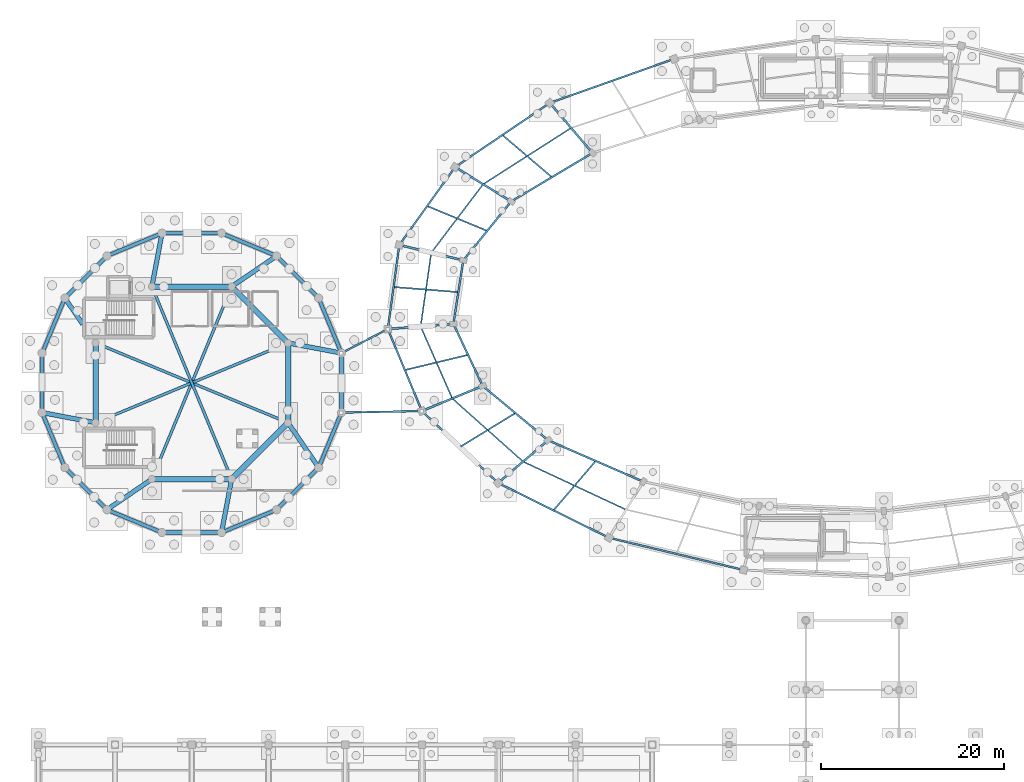
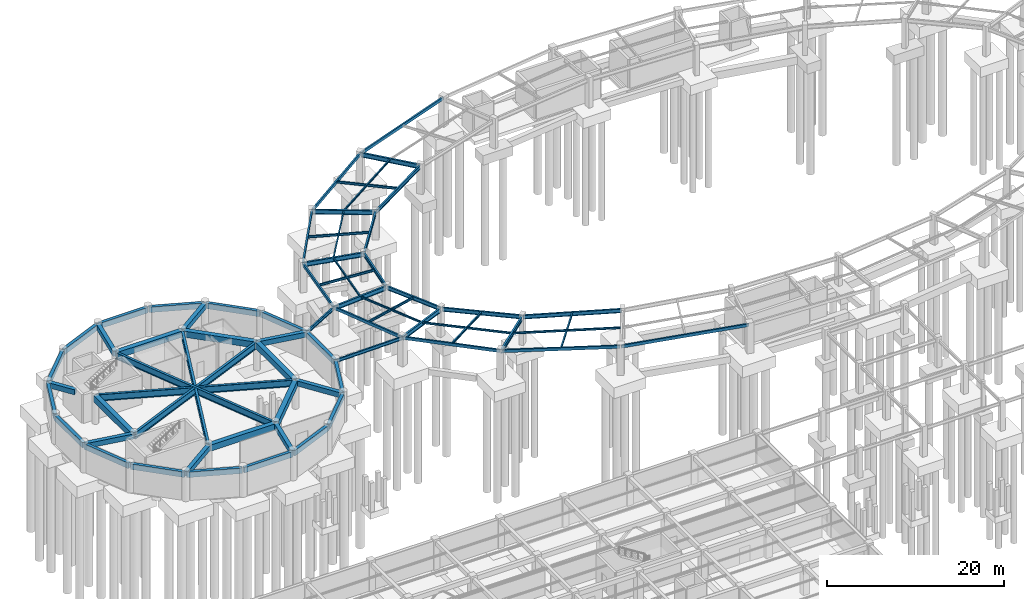
# One storey, part 17 of 38: 68 beams.
"""IFC4 building model written with IfcOpenShell, lengths in metres."""

from ifc_helpers import new_model, si_unit, direction, frame, origin, origin_2d, place, context, subcontext, project, spatial, rectangle, hollow_rectangle, i_section, extrude, material, material_profile, profile_set, type_object, element, save


model = new_model("IFC4")

# Units and contexts
model_context = context("Model", 3, precision=1e-05, world=origin(), true_north=direction((0.0, 1.0)))
body_context = subcontext(model_context, "Body", "Model", "MODEL_VIEW")
ifc_project = project(units=[si_unit("LENGTHUNIT", "METRE"), si_unit("AREAUNIT", "SQUARE_METRE"), si_unit("VOLUMEUNIT", "CUBIC_METRE"), si_unit("PLANEANGLEUNIT", "RADIAN"), si_unit("MASSUNIT", "GRAM", prefix="KILO"), si_unit("THERMODYNAMICTEMPERATUREUNIT", "KELVIN"), si_unit("POWERUNIT", "WATT")], contexts=[model_context])

# Site, building, storey
site_placement = place(None, origin())
site = spatial("IfcSite", under=ifc_project, at=site_placement, CompositionType="ELEMENT")
building_placement = place(site_placement, origin())
building = spatial("IfcBuilding", under=site, at=building_placement, Name="Darbajah Civic Hall", CompositionType="ELEMENT")
storey_placement = place(building_placement, frame((0.0, 0.0, -4.199951171875)))
storey = spatial("IfcBuildingStorey", under=building, at=storey_placement, Name="B01", CompositionType="ELEMENT", Elevation=-4.199951171875)

# Beams
ifc_material_1 = material(Name="Concrete C45/55", Category="concrete")
ifc_material_profile_1 = material_profile(ifc_material_1, rectangle(XDim=0.5, YDim=0.699951171875, at=origin_2d()), Name="RC BEAM 500x700")
ifc_profile_set_1 = profile_set([ifc_material_profile_1], Name="Concrete C45/55")
beam_type_1 = type_object("IfcBeamType", Name="RC BEAM 500x700", PredefinedType="BEAM", material=ifc_profile_set_1)
for number, where, z_axis, x_axis, name in (
    (1, (27.410888671875, 85.94775390625, 3.530029296875), (0.982632316348, -0.185563279957, 0.0), (0.185563279957, 0.982632316348, 0.0), "B01 beam BM-5070"),
    (2, (21.228759765625, 92.17724609375, 3.530029296875), (0.826037882137, 0.563614599949, 0.0), (-0.563614599949, 0.826037882137, 0.0), "B01 beam BM-5070"),
):
    element("IfcBeam", number, at=place(storey_placement, frame(where, z_axis=z_axis, x_axis=x_axis)), inside=storey, type_object=beam_type_1, Name=name, PredefinedType="BEAM", context=body_context, shape_type="SweptSolid", body=[
        extrude(rectangle(XDim=0.5, YDim=0.699951171875, at=origin_2d()), origin(), (0.0, 0.0, 1.0), 5.781005859375),
    ])
beam_1_placement = place(storey_placement, frame((12.4521484375, 92.210693359375, 3.530029296875), z_axis=(0.185596354676, 0.982626069841, 0.0), x_axis=(-0.982626069841, 0.185596354676, 0.0)))
element("IfcBeam", 3, at=beam_1_placement, inside=storey, type_object=beam_type_1, Name="B01 beam BM-5070", PredefinedType="BEAM", context=body_context, shape_type="SweptSolid", body=[
    extrude(rectangle(XDim=0.5, YDim=0.699951171875, at=origin_2d()), origin(), (0.0, 0.0, 1.0), 5.78125),
])
beam_2_placement = place(storey_placement, frame((4.860107421875, 88.02587890625, 3.530029296875), z_axis=(-0.563629589976, 0.826027654079, 0.0), x_axis=(-0.826027654079, -0.563629589976, 0.0)))
element("IfcBeam", 4, at=beam_2_placement, inside=storey, type_object=beam_type_1, Name="B01 beam BM-5070", PredefinedType="BEAM", context=body_context, shape_type="SweptSolid", body=[
    extrude(rectangle(XDim=0.5, YDim=0.699951171875, at=origin_2d()), origin(), (0.0, 0.0, 1.0), 3.363525390625),
])
for number, where, z_axis, x_axis, name in (
    (5, (6.189208984375, 77.252197265625, 3.530029296875), (-0.982626069841, 0.185596354676, 0.0), (-0.185596354676, -0.982626069841, 0.0), "B01 beam BM-5070"),
    (6, (12.371337890625, 71.022705078125, 3.530029296875), (-0.826051296586, -0.563594939126, 0.0), (0.563594939126, -0.826051296586, 0.0), "B01 beam BM-5070"),
    (7, (21.147705078125, 70.9892578125, 3.530029296875), (-0.185555579839, -0.982633770431, 0.0), (0.982633770431, -0.185555579839, 0.0), "B01 beam BM-5070"),
    (8, (27.377197265625, 77.17138671875, 3.530029296875), (0.563594939126, -0.826051296586, 0.0), (0.826051296586, 0.563594939126, 0.0), "B01 beam BM-5070"),
):
    element("IfcBeam", number, at=place(storey_placement, frame(where, z_axis=z_axis, x_axis=x_axis)), inside=storey, type_object=beam_type_1, Name=name, PredefinedType="BEAM", context=body_context, shape_type="SweptSolid", body=[
        extrude(rectangle(XDim=0.5, YDim=0.699951171875, at=origin_2d()), origin(), (0.0, 0.0, 1.0), 5.78125),
    ])
ifc_material_2 = material(Name="Concrete C50/60", Category="concrete")
ifc_material_profile_2 = material_profile(ifc_material_2, rectangle(XDim=0.60009765625, YDim=0.85009765625, at=origin_2d()), Name="RC GIRDER 600x850")
ifc_profile_set_2 = profile_set([ifc_material_profile_2], Name="Concrete C50/60")
beam_type_2 = type_object("IfcBeamType", Name="RC GIRDER 600x850", PredefinedType="BEAM", material=ifc_profile_set_2)
beam_3_placement = place(storey_placement, frame((27.275634765625, 86.019287109375, 3.454833984375), z_axis=(-0.707106781187, 0.707106781187, 0.0), x_axis=(-0.707106781187, -0.707106781187, 0.0)))
element("IfcBeam", 9, at=beam_3_placement, inside=storey, type_object=beam_type_2, Name="B01 beam BG-6085", PredefinedType="BEAM", context=body_context, shape_type="SweptSolid", body=[
    extrude(rectangle(XDim=0.60009765625, YDim=0.85009765625, at=origin_2d()), origin(), (0.0, 0.0, 1.0), 8.56494140625),
])
for number, where, z_axis, x_axis, name in (
    (10, (21.08251953125, 92.132080078125, 3.454833984375), (-1.0, 0.0, 0.0), (0.0, -1.0, 0.0), "B01 beam BG-6085"),
    (11, (6.267822265625, 85.882568359375, 3.454833984375), (0.0, -1.0, 0.0), (1.0, 0.0, 0.0), "B01 beam BG-6085"),
    (12, (12.517333984375, 71.06787109375, 3.454833984375), (1.0, 0.0, 0.0), (0.0, 1.0, 0.0), "B01 beam BG-6085"),
):
    element("IfcBeam", number, at=place(storey_placement, frame(where, z_axis=z_axis, x_axis=x_axis)), inside=storey, type_object=beam_type_2, Name=name, PredefinedType="BEAM", context=body_context, shape_type="SweptSolid", body=[
        extrude(rectangle(XDim=0.60009765625, YDim=0.85009765625, at=origin_2d()), origin(), (0.0, 0.0, 1.0), 8.565185546875),
    ])
beam_4_placement = place(storey_placement, frame((21.21923828125, 71.12451171875, 3.454833984375), z_axis=(0.707106781187, 0.707106781187, 0.0), x_axis=(-0.707106781187, 0.707106781187, 0.0)))
element("IfcBeam", 13, at=beam_4_placement, inside=storey, type_object=beam_type_2, Name="B01 beam BG-6085", PredefinedType="BEAM", context=body_context, shape_type="SweptSolid", body=[
    extrude(rectangle(XDim=0.60009765625, YDim=0.85009765625, at=origin_2d()), origin(), (0.0, 0.0, 1.0), 8.56494140625),
])
beam_5_placement = place(storey_placement, frame((27.332275390625, 77.3173828125, 3.454833984375), z_axis=(0.0, 1.0, 0.0), x_axis=(-1.0, 0.0, 0.0)))
element("IfcBeam", 14, at=beam_5_placement, inside=storey, type_object=beam_type_2, Name="B01 beam BG-6085", PredefinedType="BEAM", context=body_context, shape_type="SweptSolid", body=[
    extrude(rectangle(XDim=0.60009765625, YDim=0.85009765625, at=origin_2d()), origin(), (0.0, 0.0, 1.0), 8.565185546875),
])
ifc_material_profile_3 = material_profile(ifc_material_1, rectangle(XDim=0.39990234375, YDim=0.75, at=origin_2d()), Name="RC SPANDREL 400x750")
ifc_profile_set_3 = profile_set([ifc_material_profile_3], Name="Concrete C45/55")
beam_type_3 = type_object("IfcBeamType", Name="RC SPANDREL 400x750", PredefinedType="SPANDREL", material=ifc_profile_set_3)
for number, where, z_axis, x_axis, name in (
    (15, (33.1455078125, 84.94140625, 3.5048828125), (-0.382683011449, 0.92387970686, 0.0), (-0.92387970686, -0.382683011449, 0.0), "B01 beam SP-4075"),
    (16, (30.622802734375, 90.942138671875, 3.5048828125), (-0.707126045514, 0.707087516334, 0.0), (-0.707087516334, -0.707126045514, 0.0), "B01 beam SP-4075"),
    (17, (25.995361328125, 95.520751953125, 3.5048828125), (-0.92387970686, 0.382683011449, 0.0), (-0.382683011449, -0.92387970686, 0.0), "B01 beam SP-4075"),
    (18, (19.96826171875, 97.97998046875, 3.5048828125), (-1.0, 0.0, 0.0), (0.0, -1.0, 0.0), "B01 beam SP-4075"),
):
    element("IfcBeam", number, at=place(storey_placement, frame(where, z_axis=z_axis, x_axis=x_axis)), inside=storey, type_object=beam_type_3, Name=name, PredefinedType="SPANDREL", context=body_context, shape_type="SweptSolid", body=[
        extrude(rectangle(XDim=0.39990234375, YDim=0.75, at=origin_2d()), origin(), (0.0, 0.0, 1.0), 6.33642578125),
    ])
beam_6_placement = place(storey_placement, frame((13.458740234375, 97.945556640625, 3.5048828125), z_axis=(-0.923885349179, -0.382669389384, 0.0), x_axis=(0.382669389384, -0.923885349179, 0.0)))
element("IfcBeam", 19, at=beam_6_placement, inside=storey, type_object=beam_type_3, Name="B01 beam SP-4075", PredefinedType="SPANDREL", context=body_context, shape_type="SweptSolid", body=[
    extrude(rectangle(XDim=0.39990234375, YDim=0.75, at=origin_2d()), origin(), (0.0, 0.0, 1.0), 6.336669921875),
])
for number, where, z_axis, x_axis, name in (
    (20, (7.4580078125, 95.422607421875, 3.5048828125), (-0.707126045514, -0.707087516334, 0.0), (0.707087516334, -0.707126045514, 0.0), "B01 beam SP-4075"),
    (21, (2.87939453125, 90.79541015625, 3.5048828125), (-0.382715898409, -0.923866083967, 0.0), (0.923866083967, -0.382715898409, 0.0), "B01 beam SP-4075"),
    (22, (0.419921875, 84.768310546875, 3.5048828125), (0.0, -1.0, 0.0), (1.0, 0.0, 0.0), "B01 beam SP-4075"),
):
    element("IfcBeam", number, at=place(storey_placement, frame(where, z_axis=z_axis, x_axis=x_axis)), inside=storey, type_object=beam_type_3, Name=name, PredefinedType="SPANDREL", context=body_context, shape_type="SweptSolid", body=[
        extrude(rectangle(XDim=0.39990234375, YDim=0.75, at=origin_2d()), origin(), (0.0, 0.0, 1.0), 6.33642578125),
    ])
beam_7_placement = place(storey_placement, frame((0.454345703125, 78.2587890625, 3.5048828125), z_axis=(0.382702275575, -0.923871727173, 0.0), x_axis=(0.923871727173, 0.382702275575, 0.0)))
element("IfcBeam", 23, at=beam_7_placement, inside=storey, type_object=beam_type_3, Name="B01 beam SP-4075", PredefinedType="SPANDREL", context=body_context, shape_type="SweptSolid", body=[
    extrude(rectangle(XDim=0.39990234375, YDim=0.75, at=origin_2d()), origin(), (0.0, 0.0, 1.0), 6.336669921875),
])
beam_8_placement = place(storey_placement, frame((2.977294921875, 72.2578125, 3.5048828125), z_axis=(0.707126045514, -0.707087516334, 0.0), x_axis=(0.707087516334, 0.707126045514, 0.0)))
element("IfcBeam", 24, at=beam_8_placement, inside=storey, type_object=beam_type_3, Name="B01 beam SP-4075", PredefinedType="SPANDREL", context=body_context, shape_type="SweptSolid", body=[
    extrude(rectangle(XDim=0.39990234375, YDim=0.75, at=origin_2d()), origin(), (0.0, 0.0, 1.0), 6.33642578125),
])
beam_9_placement = place(storey_placement, frame((7.6044921875, 67.67919921875, 3.5048828125), z_axis=(0.923885349179, -0.382669389384, 0.0), x_axis=(0.382669389384, 0.923885349179, 0.0)))
element("IfcBeam", 25, at=beam_9_placement, inside=storey, type_object=beam_type_3, Name="B01 beam SP-4075", PredefinedType="SPANDREL", context=body_context, shape_type="SweptSolid", body=[
    extrude(rectangle(XDim=0.39990234375, YDim=0.75, at=origin_2d()), origin(), (0.0, 0.0, 1.0), 6.336669921875),
])
for number, where, z_axis, x_axis, name in (
    (26, (13.6318359375, 65.219970703125, 3.5048828125), (1.0, 0.0, 0.0), (0.0, 1.0, 0.0), "B01 beam SP-4075"),
    (27, (20.141357421875, 65.25439453125, 3.5048828125), (0.92387970686, 0.382683011449, 0.0), (-0.382683011449, 0.92387970686, 0.0), "B01 beam SP-4075"),
    (28, (26.14208984375, 67.77734375, 3.5048828125), (0.707126045514, 0.707087516334, 0.0), (-0.707087516334, 0.707126045514, 0.0), "B01 beam SP-4075"),
):
    element("IfcBeam", number, at=place(storey_placement, frame(where, z_axis=z_axis, x_axis=x_axis)), inside=storey, type_object=beam_type_3, Name=name, PredefinedType="SPANDREL", context=body_context, shape_type="SweptSolid", body=[
        extrude(rectangle(XDim=0.39990234375, YDim=0.75, at=origin_2d()), origin(), (0.0, 0.0, 1.0), 6.33642578125),
    ])
beam_10_placement = place(storey_placement, frame((30.720703125, 72.404541015625, 3.5048828125), z_axis=(0.382669389384, 0.923885349179, 0.0), x_axis=(-0.923885349179, 0.382669389384, 0.0)))
element("IfcBeam", 29, at=beam_10_placement, inside=storey, type_object=beam_type_3, Name="B01 beam SP-4075", PredefinedType="SPANDREL", context=body_context, shape_type="SweptSolid", body=[
    extrude(rectangle(XDim=0.39990234375, YDim=0.75, at=origin_2d()), origin(), (0.0, 0.0, 1.0), 6.336669921875),
])
beam_11_placement = place(storey_placement, frame((33.179931640625, 78.431884765625, 3.5048828125), z_axis=(0.0, 1.0, 0.0), x_axis=(-1.0, 0.0, 0.0)))
element("IfcBeam", 30, at=beam_11_placement, inside=storey, type_object=beam_type_3, Name="B01 beam SP-4075", PredefinedType="SPANDREL", context=body_context, shape_type="SweptSolid", body=[
    extrude(rectangle(XDim=0.39990234375, YDim=0.75, at=origin_2d()), origin(), (0.0, 0.0, 1.0), 6.33642578125),
])
ifc_material_3 = material(Name="Steel S355JR", Category="steel")
ifc_material_profile_4 = material_profile(ifc_material_3, hollow_rectangle(XDim=0.199951171875, YDim=0.39990234375, WallThickness=0.013916015625, at=origin_2d()), Name="RHS 400x200x14")
ifc_profile_set_4 = profile_set([ifc_material_profile_4], Name="Steel S355JR")
beam_type_4 = type_object("IfcBeamType", Name="RHS 400x200x14", PredefinedType="SPANDREL", material=ifc_profile_set_4)
beam_12_placement = place(storey_placement, frame((69.5078125, 117.027587890625, 3.719970703125), z_axis=(-0.942545228917, -0.334078570768, 0.0), x_axis=(0.334078570768, -0.942545228917, 0.0)))
element("IfcBeam", 31, at=beam_12_placement, inside=storey, type_object=beam_type_4, Name="B01 beam SP-RHS400", PredefinedType="SPANDREL", context=body_context, shape_type="SweptSolid", body=[
    extrude(hollow_rectangle(XDim=0.199951171875, YDim=0.39990234375, WallThickness=0.013916015625, at=origin_2d()), origin(), (0.0, 0.0, 1.0), 14.2744140625),
])
beam_13_placement = place(storey_placement, frame((55.911865234375, 112.18701171875, 3.719970703125), z_axis=(-0.827982022698, -0.560754643394, 0.0), x_axis=(0.560754643394, -0.827982022698, 0.0)))
element("IfcBeam", 32, at=beam_13_placement, inside=storey, type_object=beam_type_4, Name="B01 beam SP-RHS400", PredefinedType="SPANDREL", context=body_context, shape_type="SweptSolid", body=[
    extrude(hollow_rectangle(XDim=0.199951171875, YDim=0.39990234375, WallThickness=0.013916015625, at=origin_2d()), origin(), (0.0, 0.0, 1.0), 12.355712890625),
])
beam_14_placement = place(storey_placement, frame((45.56884765625, 105.148681640625, 3.719970703125), z_axis=(-0.58222165068, -0.813030103674, 0.0), x_axis=(0.813030103674, -0.58222165068, 0.0)))
element("IfcBeam", 33, at=beam_14_placement, inside=storey, type_object=beam_type_4, Name="B01 beam SP-RHS400", PredefinedType="SPANDREL", context=body_context, shape_type="SweptSolid", body=[
    extrude(hollow_rectangle(XDim=0.199951171875, YDim=0.39990234375, WallThickness=0.013916015625, at=origin_2d()), origin(), (0.0, 0.0, 1.0), 10.327880859375),
])
beam_15_placement = place(storey_placement, frame((39.498291015625, 96.607421875, 3.719970703125), z_axis=(-0.134804002093, -0.9908722829, 0.0), x_axis=(0.9908722829, -0.134804002093, 0.0)))
element("IfcBeam", 34, at=beam_15_placement, inside=storey, type_object=beam_type_4, Name="B01 beam SP-RHS400", PredefinedType="SPANDREL", context=body_context, shape_type="SweptSolid", body=[
    extrude(hollow_rectangle(XDim=0.199951171875, YDim=0.39990234375, WallThickness=0.013916015625, at=origin_2d()), origin(), (0.0, 0.0, 1.0), 9.1259765625),
])
beam_16_placement = place(storey_placement, frame((38.287841796875, 87.41162109375, 3.719970703125), z_axis=(0.38333984527, -0.923607364104, 0.0), x_axis=(0.923607364104, 0.38333984527, 0.0)))
element("IfcBeam", 35, at=beam_16_placement, inside=storey, type_object=beam_type_4, Name="B01 beam SP-RHS400", PredefinedType="SPANDREL", context=body_context, shape_type="SweptSolid", body=[
    extrude(hollow_rectangle(XDim=0.199951171875, YDim=0.39990234375, WallThickness=0.013916015625, at=origin_2d()), origin(), (0.0, 0.0, 1.0), 9.556884765625),
])
beam_17_placement = place(storey_placement, frame((42.040283203125, 78.455810546875, 3.719970703125), z_axis=(0.727210771045, -0.686414229512, 0.0), x_axis=(0.686414229512, 0.727210771045, 0.0)))
element("IfcBeam", 36, at=beam_17_placement, inside=storey, type_object=beam_type_4, Name="B01 beam SP-RHS400", PredefinedType="SPANDREL", context=body_context, shape_type="SweptSolid", body=[
    extrude(hollow_rectangle(XDim=0.199951171875, YDim=0.39990234375, WallThickness=0.013916015625, at=origin_2d()), origin(), (0.0, 0.0, 1.0), 11.304443359375),
])
beam_18_placement = place(storey_placement, frame((50.39111328125, 70.60595703125, 3.719970703125), z_axis=(0.896556568061, -0.442929249731, 0.0), x_axis=(0.442929249731, 0.896556568061, 0.0)))
element("IfcBeam", 37, at=beam_18_placement, inside=storey, type_object=beam_type_4, Name="B01 beam SP-RHS400", PredefinedType="SPANDREL", context=body_context, shape_type="SweptSolid", body=[
    extrude(hollow_rectangle(XDim=0.199951171875, YDim=0.39990234375, WallThickness=0.013916015625, at=origin_2d()), origin(), (0.0, 0.0, 1.0), 13.373046875),
])
beam_19_placement = place(storey_placement, frame((62.530517578125, 64.62841796875, 3.719970703125), z_axis=(0.972477948632, -0.232994934332, 0.0), x_axis=(0.232994934332, 0.972477948632, 0.0)))
element("IfcBeam", 38, at=beam_19_placement, inside=storey, type_object=beam_type_4, Name="B01 beam SP-RHS400", PredefinedType="SPANDREL", context=body_context, shape_type="SweptSolid", body=[
    extrude(hollow_rectangle(XDim=0.199951171875, YDim=0.39990234375, WallThickness=0.013916015625, at=origin_2d()), origin(), (0.0, 0.0, 1.0), 14.998779296875),
])
ifc_material_profile_5 = material_profile(ifc_material_3, i_section(OverallWidth=0.146484375, OverallDepth=0.256103515625, WebThickness=0.00634765625, FlangeThickness=0.010986328125, FilletRadius=0.007568359375, at=origin_2d()), Name="UB 254x146x37")
ifc_profile_set_5 = profile_set([ifc_material_profile_5], Name="Steel S355JR")
beam_type_5 = type_object("IfcBeamType", Name="UB 254x146x37", PredefinedType="JOIST", material=ifc_profile_set_5)
beam_20_placement = place(storey_placement, frame((58.218505859375, 109.431884765625, 3.7919921875), z_axis=(-0.842364011789, -0.538908964152, 0.0), x_axis=(0.538908964152, -0.842364011789, 0.0)))
element("IfcBeam", 39, at=beam_20_placement, inside=storey, type_object=beam_type_5, Name="B01 beam SJ-254", PredefinedType="JOIST", context=body_context, shape_type="SweptSolid", body=[
    extrude(i_section(OverallWidth=0.146484375, OverallDepth=0.256103515625, WebThickness=0.00634765625, FlangeThickness=0.010986328125, FilletRadius=0.007568359375, at=origin_2d()), origin(), (0.0, 0.0, 1.0), 11.20166015625),
])
beam_21_placement = place(storey_placement, frame((48.61474609375, 103.240234375, 3.7919921875), z_axis=(-0.604114678665, -0.796897393032, 0.0), x_axis=(0.796897393032, -0.604114678665, 0.0)))
element("IfcBeam", 40, at=beam_21_placement, inside=storey, type_object=beam_type_5, Name="B01 beam SJ-254", PredefinedType="JOIST", context=body_context, shape_type="SweptSolid", body=[
    extrude(i_section(OverallWidth=0.146484375, OverallDepth=0.256103515625, WebThickness=0.00634765625, FlangeThickness=0.010986328125, FilletRadius=0.007568359375, at=origin_2d()), origin(), (0.0, 0.0, 1.0), 9.162353515625),
])
beam_22_placement = place(storey_placement, frame((42.9931640625, 95.7314453125, 3.7919921875), z_axis=(-0.142580747671, -0.989783173424, 0.0), x_axis=(0.989783173424, -0.142580747671, 0.0)))
element("IfcBeam", 41, at=beam_22_placement, inside=storey, type_object=beam_type_5, Name="B01 beam SJ-254", PredefinedType="JOIST", context=body_context, shape_type="SweptSolid", body=[
    extrude(i_section(OverallWidth=0.146484375, OverallDepth=0.256103515625, WebThickness=0.00634765625, FlangeThickness=0.010986328125, FilletRadius=0.007568359375, at=origin_2d()), origin(), (0.0, 0.0, 1.0), 7.9296875),
])
beam_23_placement = place(storey_placement, frame((41.892822265625, 87.66162109375, 3.7919921875), z_axis=(0.402255928137, -0.915527262444, 0.0), x_axis=(0.915527262444, 0.402255928137, 0.0)))
element("IfcBeam", 42, at=beam_23_placement, inside=storey, type_object=beam_type_5, Name="B01 beam SJ-254", PredefinedType="JOIST", context=body_context, shape_type="SweptSolid", body=[
    extrude(i_section(OverallWidth=0.146484375, OverallDepth=0.256103515625, WebThickness=0.00634765625, FlangeThickness=0.010986328125, FilletRadius=0.007568359375, at=origin_2d()), origin(), (0.0, 0.0, 1.0), 8.37451171875),
])
beam_24_placement = place(storey_placement, frame((45.394775390625, 79.811279296875, 3.7919921875), z_axis=(0.74637325764, -0.665527580405, 0.0), x_axis=(0.665527580405, 0.74637325764, 0.0)))
element("IfcBeam", 43, at=beam_24_placement, inside=storey, type_object=beam_type_5, Name="B01 beam SJ-254", PredefinedType="JOIST", context=body_context, shape_type="SweptSolid", body=[
    extrude(i_section(OverallWidth=0.146484375, OverallDepth=0.256103515625, WebThickness=0.00634765625, FlangeThickness=0.010986328125, FilletRadius=0.007568359375, at=origin_2d()), origin(), (0.0, 0.0, 1.0), 10.149658203125),
])
beam_25_placement = place(storey_placement, frame((53.161865234375, 72.93017578125, 3.7919921875), z_axis=(0.9061795649, -0.422893126164, 0.0), x_axis=(0.422893126164, 0.9061795649, 0.0)))
element("IfcBeam", 44, at=beam_25_placement, inside=storey, type_object=beam_type_5, Name="B01 beam SJ-254", PredefinedType="JOIST", context=body_context, shape_type="SweptSolid", body=[
    extrude(i_section(OverallWidth=0.146484375, OverallDepth=0.256103515625, WebThickness=0.00634765625, FlangeThickness=0.010986328125, FilletRadius=0.007568359375, at=origin_2d()), origin(), (0.0, 0.0, 1.0), 12.21240234375),
])
ifc_material_profile_6 = material_profile(ifc_material_3, i_section(OverallWidth=0.165771484375, OverallDepth=0.306640625, WebThickness=0.006591796875, FlangeThickness=0.01171875, FilletRadius=0.0087890625, at=origin_2d()), Name="UB 305x165x46")
ifc_profile_set_6 = profile_set([ifc_material_profile_6], Name="Steel S355JR")
beam_type_6 = type_object("IfcBeamType", Name="UB 305x165x46", PredefinedType="JOIST", material=ifc_profile_set_6)
beam_26_placement = place(storey_placement, frame((56.123779296875, 104.173095703125, 3.7666015625), z_axis=(-0.760413700639, 0.649438991654, 0.0), x_axis=(-0.649438991654, -0.760413700639, 0.0)))
element("IfcBeam", 45, at=beam_26_placement, inside=storey, type_object=beam_type_6, Name="B01 beam SJ-305", PredefinedType="JOIST", context=body_context, shape_type="SweptSolid", body=[
    extrude(i_section(OverallWidth=0.165771484375, OverallDepth=0.306640625, WebThickness=0.006591796875, FlangeThickness=0.01171875, FilletRadius=0.0087890625, at=origin_2d()), origin(), (0.0, 0.0, 1.0), 6.903564453125),
])
for number, where, z_axis, x_axis, name in (
    (46, (49.034423828125, 98.269287109375, 3.7666015625), (-0.923878471007, 0.382685995053, 0.0), (-0.382685995053, -0.923878471007, 0.0), "B01 beam SJ-305"),
    (47, (45.866943359375, 91.536376953125, 3.7666015625), (-0.996918778661, 0.078440734012, 0.0), (-0.078440734012, -0.996918778661, 0.0), "B01 beam SJ-305"),
    (48, (46.931396484375, 84.633544921875, 3.7666015625), (-0.972369643286, -0.233446518106, 0.0), (0.233446518106, -0.972369643286, 0.0), "B01 beam SJ-305"),
    (49, (52.123779296875, 78.236328125, 3.7666015625), (-0.852640388105, -0.522498199588, 0.0), (0.522498199588, -0.852640388105, 0.0), "B01 beam SJ-305"),
):
    element("IfcBeam", number, at=place(storey_placement, frame(where, z_axis=z_axis, x_axis=x_axis)), inside=storey, type_object=beam_type_6, Name=name, PredefinedType="JOIST", context=body_context, shape_type="SweptSolid", body=[
        extrude(i_section(OverallWidth=0.165771484375, OverallDepth=0.306640625, WebThickness=0.006591796875, FlangeThickness=0.01171875, FilletRadius=0.0087890625, at=origin_2d()), origin(), (0.0, 0.0, 1.0), 6.9033203125),
    ])
beam_27_placement = place(storey_placement, frame((60.935546875, 72.97119140625, 3.7666015625), z_axis=(-0.649438991654, -0.760413700639, 0.0), x_axis=(0.760413700639, -0.649438991654, 0.0)))
element("IfcBeam", 50, at=beam_27_placement, inside=storey, type_object=beam_type_6, Name="B01 beam SJ-305", PredefinedType="JOIST", context=body_context, shape_type="SweptSolid", body=[
    extrude(i_section(OverallWidth=0.165771484375, OverallDepth=0.306640625, WebThickness=0.006591796875, FlangeThickness=0.01171875, FilletRadius=0.0087890625, at=origin_2d()), origin(), (0.0, 0.0, 1.0), 6.903564453125),
])
ifc_material_profile_7 = material_profile(ifc_material_3, i_section(OverallWidth=0.1904296875, OverallDepth=0.45703125, WebThickness=0.009033203125, FlangeThickness=0.014404296875, FilletRadius=0.01025390625, at=origin_2d()), Name="UB 457x191x74")
ifc_profile_set_7 = profile_set([ifc_material_profile_7], Name="Steel S355JR")
beam_type_7 = type_object("IfcBeamType", Name="UB 457x191x74", PredefinedType="BEAM", material=ifc_profile_set_7)
beam_28_placement = place(storey_placement, frame((33.2333984375, 84.8857421875, 3.661376953125), z_axis=(0.888120023882, 0.459611600354, 0.0), x_axis=(-0.459611600354, 0.888120023882, 0.0)))
element("IfcBeam", 51, at=beam_28_placement, inside=storey, type_object=beam_type_7, Name="B01 beam SB-457", PredefinedType="BEAM", context=body_context, shape_type="SweptSolid", body=[
    extrude(i_section(OverallWidth=0.1904296875, OverallDepth=0.45703125, WebThickness=0.009033203125, FlangeThickness=0.014404296875, FilletRadius=0.01025390625, at=origin_2d()), origin(), (0.0, 0.0, 1.0), 5.5966796875),
])
beam_29_placement = place(storey_placement, frame((33.239990234375, 78.343017578125, 3.661376953125), z_axis=(0.999816157201, 0.019174248333, 0.0), x_axis=(-0.019174248333, 0.999816157201, 0.0)))
element("IfcBeam", 52, at=beam_29_placement, inside=storey, type_object=beam_type_7, Name="B01 beam SB-457", PredefinedType="BEAM", context=body_context, shape_type="SweptSolid", body=[
    extrude(i_section(OverallWidth=0.1904296875, OverallDepth=0.45703125, WebThickness=0.009033203125, FlangeThickness=0.014404296875, FilletRadius=0.01025390625, at=origin_2d()), origin(), (0.0, 0.0, 1.0), 8.683837890625),
])
ifc_material_profile_8 = material_profile(ifc_material_3, i_section(OverallWidth=0.209228515625, OverallDepth=0.533203125, WebThickness=0.010009765625, FlangeThickness=0.015625, FilletRadius=0.0126953125, at=origin_2d()), Name="UB 533x210x92")
ifc_profile_set_8 = profile_set([ifc_material_profile_8], Name="Steel S355JR")
beam_type_8 = type_object("IfcBeamType", Name="UB 533x210x92", PredefinedType="BEAM", material=ifc_profile_set_8)
beam_30_placement = place(storey_placement, frame((60.58544921875, 106.716064453125, 3.6533203125), z_axis=(-0.858963370671, -0.512037037572, 0.0), x_axis=(0.512037037572, -0.858963370671, 0.0)))
element("IfcBeam", 53, at=beam_30_placement, inside=storey, type_object=beam_type_8, Name="B01 beam SB-533", PredefinedType="BEAM", context=body_context, shape_type="SweptSolid", body=[
    extrude(i_section(OverallWidth=0.209228515625, OverallDepth=0.533203125, WebThickness=0.010009765625, FlangeThickness=0.015625, FilletRadius=0.0126953125, at=origin_2d()), origin(), (0.0, 0.0, 1.0), 10.201171875),
])
beam_31_placement = place(storey_placement, frame((51.703857421875, 101.3896484375, 3.6533203125), z_axis=(-0.63108196788, -0.775716152866, 0.0), x_axis=(0.775716152866, -0.63108196788, 0.0)))
element("IfcBeam", 54, at=beam_31_placement, inside=storey, type_object=beam_type_8, Name="B01 beam SB-533", PredefinedType="BEAM", context=body_context, shape_type="SweptSolid", body=[
    extrude(i_section(OverallWidth=0.209228515625, OverallDepth=0.533203125, WebThickness=0.010009765625, FlangeThickness=0.015625, FilletRadius=0.0126953125, at=origin_2d()), origin(), (0.0, 0.0, 1.0), 8.149658203125),
])
beam_32_placement = place(storey_placement, frame((46.498046875, 94.9267578125, 3.6533203125), z_axis=(-0.152771975645, -0.988261465128, 0.0), x_axis=(0.988261465128, -0.152771975645, 0.0)))
element("IfcBeam", 55, at=beam_32_placement, inside=storey, type_object=beam_type_8, Name="B01 beam SB-533", PredefinedType="BEAM", context=body_context, shape_type="SweptSolid", body=[
    extrude(i_section(OverallWidth=0.209228515625, OverallDepth=0.533203125, WebThickness=0.010009765625, FlangeThickness=0.015625, FilletRadius=0.0126953125, at=origin_2d()), origin(), (0.0, 0.0, 1.0), 6.878173828125),
])
beam_33_placement = place(storey_placement, frame((45.468994140625, 87.97802734375, 3.6533203125), z_axis=(0.426541677675, -0.904467908334, 0.0), x_axis=(0.904467908334, 0.426541677675, 0.0)))
element("IfcBeam", 56, at=beam_33_placement, inside=storey, type_object=beam_type_8, Name="B01 beam SB-533", PredefinedType="BEAM", context=body_context, shape_type="SweptSolid", body=[
    extrude(i_section(OverallWidth=0.209228515625, OverallDepth=0.533203125, WebThickness=0.010009765625, FlangeThickness=0.015625, FilletRadius=0.0126953125, at=origin_2d()), origin(), (0.0, 0.0, 1.0), 7.340576171875),
])
beam_34_placement = place(storey_placement, frame((48.695556640625, 81.215087890625, 3.6533203125), z_axis=(0.769165350471, -0.63904981311, 0.0), x_axis=(0.63904981311, 0.769165350471, 0.0)))
element("IfcBeam", 57, at=beam_34_placement, inside=storey, type_object=beam_type_8, Name="B01 beam SB-533", PredefinedType="BEAM", context=body_context, shape_type="SweptSolid", body=[
    extrude(i_section(OverallWidth=0.209228515625, OverallDepth=0.533203125, WebThickness=0.010009765625, FlangeThickness=0.015625, FilletRadius=0.0126953125, at=origin_2d()), origin(), (0.0, 0.0, 1.0), 9.14892578125),
])
beam_35_placement = place(storey_placement, frame((55.86767578125, 75.285400390625, 3.6533203125), z_axis=(0.917051345793, -0.398769142712, 0.0), x_axis=(0.398769142712, 0.917051345793, 0.0)))
element("IfcBeam", 58, at=beam_35_placement, inside=storey, type_object=beam_type_8, Name="B01 beam SB-533", PredefinedType="BEAM", context=body_context, shape_type="SweptSolid", body=[
    extrude(i_section(OverallWidth=0.209228515625, OverallDepth=0.533203125, WebThickness=0.010009765625, FlangeThickness=0.015625, FilletRadius=0.0126953125, at=origin_2d()), origin(), (0.0, 0.0, 1.0), 11.20263671875),
])
ifc_material_profile_9 = material_profile(ifc_material_3, i_section(OverallWidth=0.228271484375, OverallDepth=0.607666015625, WebThickness=0.010986328125, FlangeThickness=0.017333984375, FilletRadius=0.0126953125, at=origin_2d()), Name="UB 610x229x113")
ifc_profile_set_9 = profile_set([ifc_material_profile_9], Name="Steel S355JR")
beam_type_9 = type_object("IfcBeamType", Name="UB 610x229x113", PredefinedType="BEAM", material=ifc_profile_set_9)
for number, where, z_axis, x_axis, name in (
    (59, (60.602294921875, 106.81787109375, 3.6162109375), (-0.649459534081, 0.760396155692, 0.0), (-0.760396155692, -0.649459534081, 0.0), "B01 beam SB-610"),
    (60, (51.686279296875, 101.493408203125, 3.6162109375), (-0.852639128905, 0.522500254411, 0.0), (-0.522500254411, -0.852639128905, 0.0), "B01 beam SB-610"),
    (61, (46.432373046875, 95.0244140625, 3.6162109375), (-0.972366522162, 0.233459518071, 0.0), (-0.233459518071, -0.972366522162, 0.0), "B01 beam SB-610"),
    (62, (45.355224609375, 88.044189453125, 3.6162109375), (-0.996915809033, -0.078478466478, 0.0), (0.078478466478, -0.996915809033, 0.0), "B01 beam SB-610"),
):
    element("IfcBeam", number, at=place(storey_placement, frame(where, z_axis=z_axis, x_axis=x_axis)), inside=storey, type_object=beam_type_9, Name=name, PredefinedType="BEAM", context=body_context, shape_type="SweptSolid", body=[
        extrude(i_section(OverallWidth=0.228271484375, OverallDepth=0.607666015625, WebThickness=0.010986328125, FlangeThickness=0.017333984375, FilletRadius=0.0126953125, at=origin_2d()), origin(), (0.0, 0.0, 1.0), 7.0400390625),
    ])
beam_36_placement = place(storey_placement, frame((48.560302734375, 81.235595703125, 3.6162109375), z_axis=(-0.923885389571, -0.382669291867, 0.0), x_axis=(0.382669291867, -0.923885389571, 0.0)))
element("IfcBeam", 63, at=beam_36_placement, inside=storey, type_object=beam_type_9, Name="B01 beam SB-610", PredefinedType="BEAM", context=body_context, shape_type="SweptSolid", body=[
    extrude(i_section(OverallWidth=0.228271484375, OverallDepth=0.607666015625, WebThickness=0.010986328125, FlangeThickness=0.017333984375, FilletRadius=0.0126953125, at=origin_2d()), origin(), (0.0, 0.0, 1.0), 7.040283203125),
])
beam_37_placement = place(storey_placement, frame((55.7333984375, 75.265380859375, 3.6162109375), z_axis=(-0.760413281686, -0.649439482197, 0.0), x_axis=(0.649439482197, -0.760413281686, 0.0)))
element("IfcBeam", 64, at=beam_37_placement, inside=storey, type_object=beam_type_9, Name="B01 beam SB-610", PredefinedType="BEAM", context=body_context, shape_type="SweptSolid", body=[
    extrude(i_section(OverallWidth=0.228271484375, OverallDepth=0.607666015625, WebThickness=0.010986328125, FlangeThickness=0.017333984375, FilletRadius=0.0126953125, at=origin_2d()), origin(), (0.0, 0.0, 1.0), 7.0400390625),
])
ifc_material_profile_10 = material_profile(ifc_material_3, i_section(OverallWidth=0.305419921875, OverallDepth=0.91845703125, WebThickness=0.017333984375, FlangeThickness=0.02783203125, FilletRadius=0.01904296875, at=origin_2d()), Name="UB 914x305x253")
ifc_profile_set_10 = profile_set([ifc_material_profile_10], Name="Steel S355JR")
beam_type_10 = type_object("IfcBeamType", Name="UB 914x305x253", PredefinedType="BEAM", material=ifc_profile_set_10)
beam_38_placement = place(storey_placement, frame((27.25830078125, 85.931884765625, 3.420654296875), z_axis=(-0.923880801123, -0.382680369651, 0.0), x_axis=(0.382680369651, -0.923880801123, 0.0)))
element("IfcBeam", 65, at=beam_38_placement, inside=storey, type_object=beam_type_10, Name="B01 beam SB-914", PredefinedType="BEAM", context=body_context, shape_type="SweptSolid", body=[
    extrude(i_section(OverallWidth=0.305419921875, OverallDepth=0.91845703125, WebThickness=0.017333984375, FlangeThickness=0.02783203125, FilletRadius=0.01904296875, at=origin_2d()), origin(), (0.0, 0.0, 1.0), 22.639892578125),
])
for number, where, z_axis, x_axis, name in (
    (66, (21.132080078125, 92.058349609375, 3.420654296875), (-0.382685761458, -0.923878567766, 0.0), (0.923878567766, -0.382685761458, 0.0), "B01 beam SB-914"),
    (67, (12.468017578125, 92.058349609375, 3.420654296875), (0.382685761458, -0.923878567766, 0.0), (0.923878567766, 0.382685761458, 0.0), "B01 beam SB-914"),
):
    element("IfcBeam", number, at=place(storey_placement, frame(where, z_axis=z_axis, x_axis=x_axis)), inside=storey, type_object=beam_type_10, Name=name, PredefinedType="BEAM", context=body_context, shape_type="SweptSolid", body=[
        extrude(i_section(OverallWidth=0.305419921875, OverallDepth=0.91845703125, WebThickness=0.017333984375, FlangeThickness=0.02783203125, FilletRadius=0.01904296875, at=origin_2d()), origin(), (0.0, 0.0, 1.0), 22.64013671875),
    ])
beam_39_placement = place(storey_placement, frame((6.341796875, 85.931884765625, 3.420654296875), z_axis=(0.923880801123, -0.382680369651, 0.0), x_axis=(0.382680369651, 0.923880801123, 0.0)))
element("IfcBeam", 68, at=beam_39_placement, inside=storey, type_object=beam_type_10, Name="B01 beam SB-914", PredefinedType="BEAM", context=body_context, shape_type="SweptSolid", body=[
    extrude(i_section(OverallWidth=0.305419921875, OverallDepth=0.91845703125, WebThickness=0.017333984375, FlangeThickness=0.02783203125, FilletRadius=0.01904296875, at=origin_2d()), origin(), (0.0, 0.0, 1.0), 22.639892578125),
])

save(model, "model.ifc")
